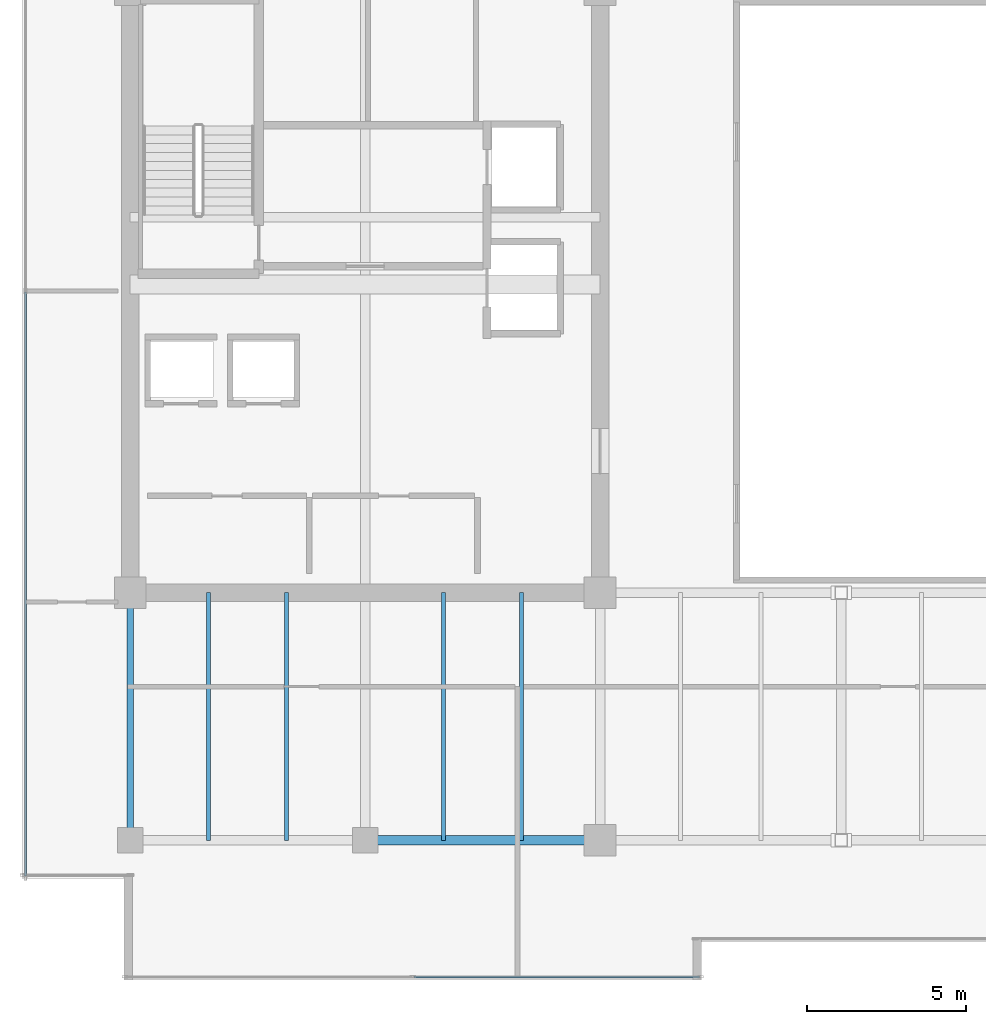
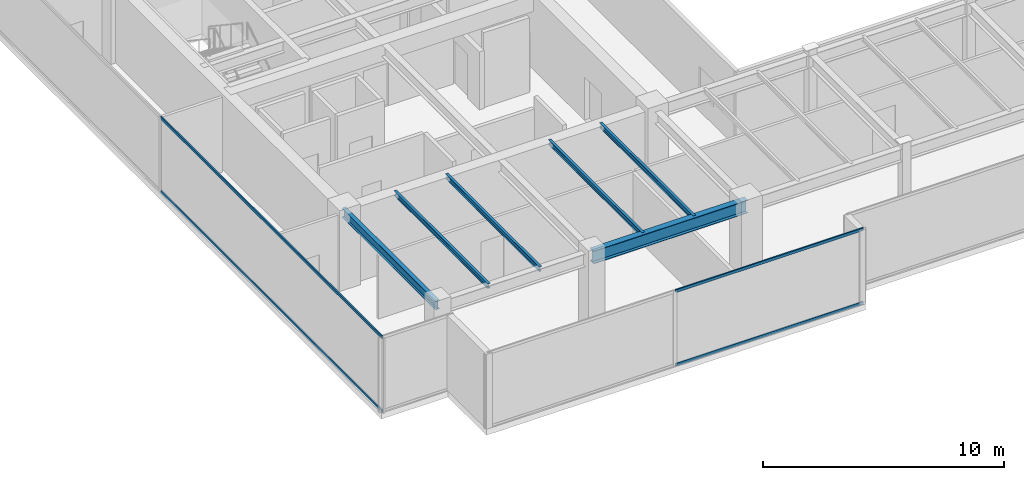
# One storey, part 6 of 33: 6 beams, 4 members, 2 elements without a shape of their own.
"""IFC4 building model written with IfcOpenShell, lengths in metres."""

from ifc_helpers import new_model, si_unit, direction, frame, origin, origin_2d, place, context, subcontext, project, spatial, hollow_rectangle, i_section, extrude, source, transform, mapped, material, layer, layer_set, material_profile, profile_set, type_object, type_shapes, element, aggregate, save


model = new_model("IFC4")

# Units and contexts
model_context = context("Model", 3, precision=1e-05, world=origin(), true_north=direction((0.0, 1.0)))
body_context = subcontext(model_context, "Body", "Model", "MODEL_VIEW")
ifc_project = project(units=[si_unit("LENGTHUNIT", "METRE"), si_unit("AREAUNIT", "SQUARE_METRE"), si_unit("VOLUMEUNIT", "CUBIC_METRE"), si_unit("PLANEANGLEUNIT", "RADIAN"), si_unit("MASSUNIT", "GRAM", prefix="KILO")], contexts=[model_context])

# Site, building, storey
site_placement = place(None, origin())
site = spatial("IfcSite", under=ifc_project, at=site_placement, CompositionType="ELEMENT")
building_placement = place(site_placement, origin())
building = spatial("IfcBuilding", under=site, at=building_placement, Name="Haelvirn Gate Laboratories", CompositionType="ELEMENT")
storey_placement = place(building_placement, frame((0.0, 0.0, 287.5)))
storey = spatial("IfcBuildingStorey", under=building, at=storey_placement, Name="L69", CompositionType="ELEMENT", Elevation=287.5)

# Beams
ifc_material_1 = material(Name="Steel SM355", Category="steel")
ifc_material_profile_1 = material_profile(ifc_material_1, i_section(OverallWidth=0.300048828125, OverallDepth=0.64990234375, WebThickness=0.012939453125, FlangeThickness=0.02197265625, at=origin_2d()), Name="H-650x300x13x22")
ifc_profile_set_1 = profile_set([ifc_material_profile_1], Name="Steel SM355")
beam_type_1 = type_object("IfcBeamType", Name="BM-G-650", PredefinedType="BEAM", material=ifc_profile_set_1)
shared_shape_1 = source(origin(), body_context, "Body", "SweptSolid", [
    extrude(i_section(OverallWidth=0.300048828125, OverallDepth=0.64990234375, WebThickness=0.012939453125, FlangeThickness=0.02197265625, at=origin_2d()), origin(), (0.0, 0.0, 1.0), 7.39990234375),
])
type_shapes(beam_type_1, [shared_shape_1])
beam_1_placement = place(storey_placement, frame((14.800048828125, 7.0, 3.47509765625), z_axis=(1.0, 0.0, 0.0), x_axis=(0.0, 1.0, 0.0)))
element("IfcBeam", 1, at=beam_1_placement, inside=storey, type_object=beam_type_1, Name="L69 Primary Girder Y7.0 (14.8-22.2)", PredefinedType="BEAM", context=body_context, shape_type="MappedRepresentation", body=[
    mapped(shared_shape_1, transform((0.0, 0.0, 0.0), scale=1.0)),
])
ifc_material_profile_2 = material_profile(ifc_material_1, i_section(OverallWidth=0.199951171875, OverallDepth=0.449951171875, WebThickness=0.009033203125, FlangeThickness=0.013916015625, at=origin_2d()), Name="H-450x200x9x14")
ifc_profile_set_2 = profile_set([ifc_material_profile_2], Name="Steel SM355")
beam_type_2 = type_object("IfcBeamType", Name="BM-SP-450", PredefinedType="SPANDREL", material=ifc_profile_set_2)
shared_shape_2 = source(origin(), body_context, "Body", "SweptSolid", [
    extrude(i_section(OverallWidth=0.199951171875, OverallDepth=0.449951171875, WebThickness=0.009033203125, FlangeThickness=0.013916015625, at=origin_2d()), origin(), (0.0, 0.0, 1.0), 7.800048828125),
])
type_shapes(beam_type_2, [shared_shape_2])
beam_2_placement = place(storey_placement, frame((7.39990234375, 7.0, 3.574951171875), z_axis=(0.0, 1.0, 0.0), x_axis=(-1.0, 0.0, 0.0)))
element("IfcBeam", 2, at=beam_2_placement, inside=storey, type_object=beam_type_2, Name="L69 Perimeter Spandrel X7.4 (7.0-14.8)", PredefinedType="SPANDREL", context=body_context, shape_type="MappedRepresentation", body=[
    mapped(shared_shape_2, transform((0.0, 0.0, 0.0), scale=1.0)),
])
ifc_material_profile_3 = material_profile(ifc_material_1, i_section(OverallWidth=0.125, OverallDepth=0.25, WebThickness=0.006103515625, FlangeThickness=0.009033203125, at=origin_2d()), Name="H-250x125x6x9")
ifc_profile_set_3 = profile_set([ifc_material_profile_3], Name="Steel SM355")
beam_type_3 = type_object("IfcBeamType", Name="BM-J-250", PredefinedType="JOIST", material=ifc_profile_set_3)
shared_shape_3 = source(origin(), body_context, "Body", "SweptSolid", [
    extrude(i_section(OverallWidth=0.125, OverallDepth=0.25, WebThickness=0.006103515625, FlangeThickness=0.009033203125, at=origin_2d()), origin(), (0.0, 0.0, 1.0), 7.800048828125),
])
type_shapes(beam_type_3, [shared_shape_3])
for number, where, z_axis, x_axis, name in (
    (3, (9.8701171875, 7.0, 3.675048828125), (0.0, 1.0, 0.0), (-1.0, 0.0, 0.0), "L69 Composite Lab Joist South X9.87"),
    (4, (12.330078125, 7.0, 3.675048828125), (0.0, 1.0, 0.0), (-1.0, 0.0, 0.0), "L69 Composite Lab Joist South X12.33"),
    (5, (17.27001953125, 7.0, 3.675048828125), (0.0, 1.0, 0.0), (-1.0, 0.0, 0.0), "L69 Composite Lab Joist South X17.27"),
    (6, (19.72998046875, 7.0, 3.675048828125), (0.0, 1.0, 0.0), (-1.0, 0.0, 0.0), "L69 Composite Lab Joist South X19.73"),
):
    element("IfcBeam", number, at=place(storey_placement, frame(where, z_axis=z_axis, x_axis=x_axis)), inside=storey, type_object=beam_type_3, Name=name, PredefinedType="JOIST", context=body_context, shape_type="MappedRepresentation", body=[
        mapped(shared_shape_3, transform((0.0, 0.0, 0.0), scale=1.0)),
    ])

# Curtain wall, members
ifc_material_2 = material(Name="Anodised bronze unitised aluminium & triple low-E glass", Category="aluminium")
ifc_layer = layer(ifc_material_2, 0.176025390625, Name="CW-SYS-4")
ifc_layer_set = layer_set([ifc_layer], Name="Anodised bronze unitised aluminium & triple low-E glass")
curtain_wall_type = type_object("IfcCurtainWallType", Name="CW-SYS-4", PredefinedType="NOTDEFINED", material=ifc_layer_set)
curtain_wall_1_placement = place(storey_placement, origin())
curtain_wall_1 = element("IfcCurtainWall", 7, at=curtain_wall_1_placement, inside=storey, type_object=curtain_wall_type, Name="L69 Unitised Curtain Wall CW-L69-P0-E00-1", PredefinedType="NOTDEFINED")
ifc_material_3 = material(Name="Extruded aluminium 6063-T6 (anodised bronze)", Category="aluminium")
ifc_material_profile_4 = material_profile(ifc_material_3, hollow_rectangle(XDim=0.06494140625, YDim=0.139892578125, WallThickness=0.00390625, at=origin_2d()), Name="CWT-140x65x4")
ifc_profile_set_4 = profile_set([ifc_material_profile_4], Name="Extruded aluminium 6063-T6 (anodised bronze)")
member_type = type_object("IfcMemberType", Name="CWT-T140", PredefinedType="USERDEFINED", material=ifc_profile_set_4)
shared_shape_4 = source(origin(), body_context, "Body", "SweptSolid", [
    extrude(hollow_rectangle(XDim=0.06494140625, YDim=0.139892578125, WallThickness=0.00390625, at=origin_2d()), origin(), (0.0, 0.0, 1.0), 8.9951171875),
])
member_1_placement = place(storey_placement, frame((16.3349609375, 2.699951171875, 0.032470703125), z_axis=(1.0, 0.0, 0.0), x_axis=(0.0, 1.0, 0.0)))
member_1 = element("IfcMember", 8, at=member_1_placement, type_object=member_type, Name="CW4 transom 2.1", ObjectType="TRANSOM", PredefinedType="USERDEFINED", context=body_context, shape_type="MappedRepresentation", body=[
    mapped(shared_shape_4, transform((0.0, 0.0, 0.0), scale=1.0)),
])
member_2_placement = place(storey_placement, frame((16.3349609375, 2.699951171875, 3.767578125), z_axis=(1.0, 0.0, 0.0), x_axis=(0.0, 1.0, 0.0)))
member_2 = element("IfcMember", 9, at=member_2_placement, type_object=member_type, Name="CW4 transom 2.2", ObjectType="TRANSOM", PredefinedType="USERDEFINED", context=body_context, shape_type="MappedRepresentation", body=[
    mapped(shared_shape_4, transform((0.0, 0.0, 0.0), scale=1.0)),
])
aggregate(curtain_wall_1, [member_1, member_2])

curtain_wall_2_placement = place(storey_placement, origin())
curtain_wall_2 = element("IfcCurtainWall", 10, at=curtain_wall_2_placement, inside=storey, type_object=curtain_wall_type, Name="L69 Unitised Curtain Wall CW-L69-P0-E17", PredefinedType="NOTDEFINED")
shared_shape_5 = source(origin(), body_context, "Body", "SweptSolid", [
    extrude(hollow_rectangle(XDim=0.06494140625, YDim=0.139892578125, WallThickness=0.00390625, at=origin_2d()), origin(), (0.0, 0.0, 1.0), 18.394775390625),
])
type_shapes(member_type, [shared_shape_4, shared_shape_5])
member_3_placement = place(storey_placement, frame((4.10009765625, 24.264892578125, 0.032470703125), z_axis=(0.0, -1.0, 0.0), x_axis=(1.0, 0.0, 0.0)))
member_3 = element("IfcMember", 11, at=member_3_placement, type_object=member_type, Name="CW4 transom 2.1", ObjectType="TRANSOM", PredefinedType="USERDEFINED", context=body_context, shape_type="MappedRepresentation", body=[
    mapped(shared_shape_5, transform((0.0, 0.0, 0.0), scale=1.0)),
])
member_4_placement = place(storey_placement, frame((4.10009765625, 24.264892578125, 3.767578125), z_axis=(0.0, -1.0, 0.0), x_axis=(1.0, 0.0, 0.0)))
member_4 = element("IfcMember", 12, at=member_4_placement, type_object=member_type, Name="CW4 transom 2.2", ObjectType="TRANSOM", PredefinedType="USERDEFINED", context=body_context, shape_type="MappedRepresentation", body=[
    mapped(shared_shape_5, transform((0.0, 0.0, 0.0), scale=1.0)),
])
aggregate(curtain_wall_2, [member_3, member_4])

save(model, "model.ifc")
